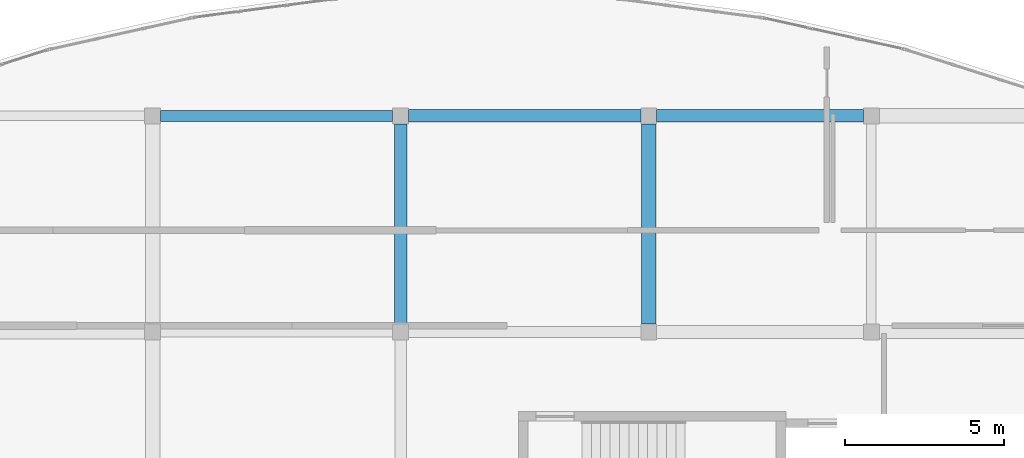
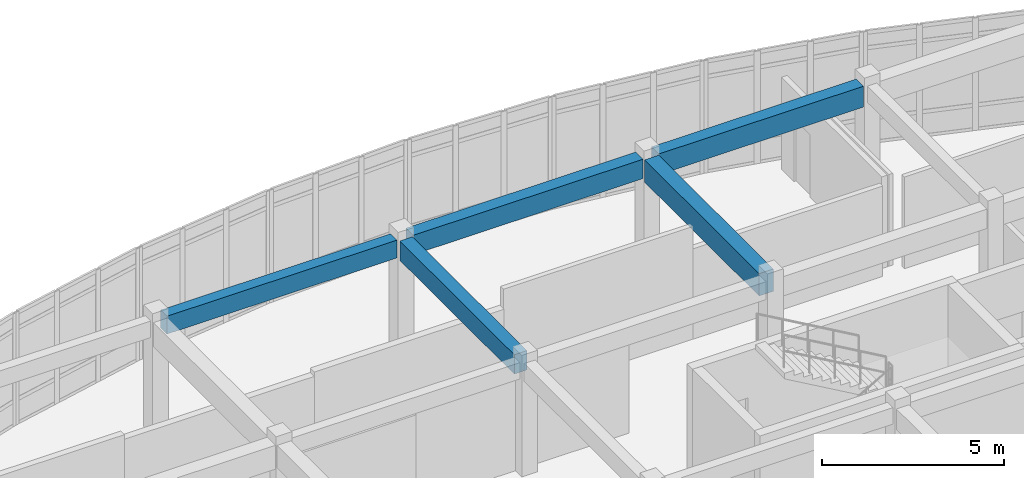
# One storey, part 37 of 91: 5 beams.
"""IFC4 building model written with IfcOpenShell, lengths in metres."""

import ifcopenshell
import ifcopenshell.guid

model = None  # the IFC model being written
_history = None  # IfcOwnerHistory: only IFC2X3 demands one
_inside = {}  # id of a spatial element -> (the spatial element, [elements in it])
_under = {}  # id of a project, library or spatial element -> (it, [spatial elements below it])
_declared = {}  # id of a project -> (the project, [libraries it declares])
_typed = {}  # id of a type object -> (the type object, [elements of that type])
_made_of = {}  # id of a material, layer set ... -> (it, [elements and type objects made of it])


def new_model(schema):
    """Start an empty IFC model of exactly this schema.

    Asked for "IFC4X3", IfcOpenShell would pick the latest addendum, in which some entities
    have other attributes; the version numbers below select the first issue.
    IFC2X3 requires an IfcOwnerHistory on every rooted entity: one is made here for all.
    """
    global model, _history
    if schema == "IFC4X3":
        model = ifcopenshell.file(schema_version=(4, 3, 0, 0))
    else:
        model = ifcopenshell.file(schema=schema)
    _inside.clear()
    _under.clear()
    _declared.clear()
    _typed.clear()
    _made_of.clear()
    _history = None
    if model.schema == "IFC2X3":
        org = make("IfcOrganization", Name="unknown")
        user = make(
            "IfcPersonAndOrganization",
            ThePerson=make("IfcPerson", FamilyName="unknown"),
            TheOrganization=org,
        )
        app = make(
            "IfcApplication",
            ApplicationDeveloper=org,
            Version="unknown",
            ApplicationFullName="unknown",
            ApplicationIdentifier="unknown",
        )
        _history = make(
            "IfcOwnerHistory",
            OwningUser=user,
            OwningApplication=app,
            ChangeAction="ADDED",
            CreationDate=0,
        )
    return model


def make(cls, **values):
    """One entity of the class cls with the attributes given. An attribute that is None is left unset."""
    return model.create_entity(
        cls, **{name: value for name, value in values.items() if value is not None}
    )


def rooted(cls, **values):
    """An entity with a GlobalId (a new one), such as an element, a storey or a relation."""
    return make(cls, GlobalId=ifcopenshell.guid.new(), OwnerHistory=_history, **values)


def si_unit(unit_type, name, prefix=None):
    """IfcSIUnit, for example si_unit("LENGTHUNIT", "METRE", prefix="MILLI")."""
    return make("IfcSIUnit", UnitType=unit_type, Prefix=prefix, Name=name)


def assignment(units):
    """IfcUnitAssignment: the units of a project."""
    return None if units is None else make("IfcUnitAssignment", Units=units)


def point(xyz):
    """IfcCartesianPoint."""
    return None if xyz is None else make("IfcCartesianPoint", Coordinates=xyz)


def direction(xyz):
    """IfcDirection."""
    return None if xyz is None else make("IfcDirection", DirectionRatios=xyz)


def frame(location, z_axis=None, x_axis=None):
    """IfcAxis2Placement3D, a coordinate frame: its origin and axes. An axis left out is left unset."""
    return make(
        "IfcAxis2Placement3D",
        Location=point(location),
        Axis=direction(z_axis),
        RefDirection=direction(x_axis),
    )


def frame_2d(location, x_axis=None):
    """IfcAxis2Placement2D, a coordinate frame in the plane: its origin and x axis."""
    return make(
        "IfcAxis2Placement2D", Location=point(location), RefDirection=direction(x_axis)
    )


def origin():
    """The frame at (0, 0, 0) with its axes left unset."""
    return frame((0.0, 0.0, 0.0))


def origin_2d():
    """The frame at (0, 0) in the plane with its x axis left unset."""
    return frame_2d((0.0, 0.0))


def place(relative_to, where):
    """IfcLocalPlacement: puts the frame where relative to a parent placement (None: the world)."""
    return make(
        "IfcLocalPlacement", PlacementRelTo=relative_to, RelativePlacement=where
    )


def context(
    kind, dimensions, precision=None, world=None, true_north=None, identifier=None
):
    """IfcGeometricRepresentationContext, for example the 3D "Model" context."""
    return make(
        "IfcGeometricRepresentationContext",
        ContextIdentifier=identifier,
        ContextType=kind,
        CoordinateSpaceDimension=dimensions,
        Precision=precision,
        WorldCoordinateSystem=world,
        TrueNorth=true_north,
    )


def subcontext(parent, identifier, kind, view, scale=None):
    """IfcGeometricRepresentationSubContext, for example "Body" below "Model"."""
    return make(
        "IfcGeometricRepresentationSubContext",
        ContextIdentifier=identifier,
        ContextType=kind,
        ParentContext=parent,
        TargetScale=scale,
        TargetView=view,
    )


def project(units=None, contexts=None):
    """IfcProject with its units and contexts."""
    return rooted(
        "IfcProject",
        Name="project",
        RepresentationContexts=contexts,
        UnitsInContext=assignment(units),
    )


def spatial(cls, under=None, at=None, **own):
    """A site, building, storey or space (cls), placed at a placement, below another one or the project."""
    s = rooted(cls, ObjectPlacement=at, **own)
    if under is not None:
        _under.setdefault(under.id(), (under, []))[1].append(s)
    return s


def profile(cls, at=None, kind="AREA", **sizes):
    """A parametric profile (cls). Its sizes go by their IFC names, for example OverallWidth=200.0."""
    return make(cls, ProfileType=kind, Position=at, **sizes)


def rectangle(**sizes):
    """IfcRectangleProfileDef."""
    return profile("IfcRectangleProfileDef", **sizes)


def extrude(swept, where, along, depth):
    """IfcExtrudedAreaSolid: the profile swept, set in the frame where, extruded along a direction by depth."""
    return make(
        "IfcExtrudedAreaSolid",
        SweptArea=swept,
        Position=where,
        ExtrudedDirection=direction(along),
        Depth=depth,
    )


def shape(context_of_items, identifier, shape_type, items):
    """IfcShapeRepresentation: the items that make up one representation, for example the "Body"."""
    return make(
        "IfcShapeRepresentation",
        ContextOfItems=context_of_items,
        RepresentationIdentifier=identifier,
        RepresentationType=shape_type,
        Items=items,
    )


def material(Name=None, Category=None):
    """IfcMaterial."""
    return make("IfcMaterial", Name=Name, Category=Category)


def material_profile(
    of_material, cross_section, Name=None, Category=None, Priority=None
):
    """IfcMaterialProfile: a cross section and its material."""
    return make(
        "IfcMaterialProfile",
        Name=Name,
        Material=of_material,
        Profile=cross_section,
        Priority=Priority,
        Category=Category,
    )


def profile_set(profiles, Name=None, composite=None):
    """IfcMaterialProfileSet."""
    return make(
        "IfcMaterialProfileSet",
        Name=Name,
        MaterialProfiles=profiles,
        CompositeProfile=composite,
    )


def made_of(thing, what):
    """Note that an element or type object is made of a material, layer set ...; save() writes the relation."""
    if what is not None:
        _made_of.setdefault(what.id(), (what, []))[1].append(thing)
    return thing


def type_object(cls, material=None, **own):
    """A type object (cls), such as IfcWallType, which elements share."""
    return made_of(rooted(cls, **own), material)


def element(
    cls,
    number,
    at=None,
    inside=None,
    cuts=None,
    type_object=None,
    material=None,
    context=None,
    identifier="Body",
    shape_type=None,
    held_by="IfcProductDefinitionShape",
    body=None,
    shapes=None,
    **own,
):
    """One element of the class cls, such as IfcWall. Its Tag is "e" and its number.

    at: its placement. inside: the storey or other place that contains it. cuts: it is an
    opening in that element (IfcRelVoidsElement). A single representation is given by context,
    identifier, shape_type and body (its items); several are given by shapes. held_by: the class
    of the entity that holds the representations. save() writes the other relations.
    """
    e = rooted(cls, Tag="e%d" % number, ObjectPlacement=at, **own)
    if body is not None:
        shapes = [shape(context, identifier, shape_type, body)]
    if shapes is not None:
        e.Representation = make(held_by, Representations=shapes)
    if inside is not None:
        _inside.setdefault(inside.id(), (inside, []))[1].append(e)
    if cuts is not None:
        rooted(
            "IfcRelVoidsElement", RelatingBuildingElement=cuts, RelatedOpeningElement=e
        )
    if type_object is not None:
        _typed.setdefault(type_object.id(), (type_object, []))[1].append(e)
    return made_of(e, material)


def aggregate(whole, parts):
    """IfcRelAggregates: a whole, such as a stair, and the parts it consists of."""
    return rooted("IfcRelAggregates", RelatingObject=whole, RelatedObjects=parts)


def save(model, path):
    """Write the relations noted so far, then the file.

    IfcRelAggregates (storeys below a building ...), IfcRelContainedInSpatialStructure (elements
    in a storey), IfcRelDefinesByType, IfcRelAssociatesMaterial and IfcRelDeclares: one each for
    every whole, place, type object, material and project.
    """
    for whole, parts in _under.values():
        aggregate(whole, parts)
    for where, things in _inside.values():
        rooted(
            "IfcRelContainedInSpatialStructure",
            RelatedElements=things,
            RelatingStructure=where,
        )
    for kind, things in _typed.values():
        rooted("IfcRelDefinesByType", RelatedObjects=things, RelatingType=kind)
    for what, things in _made_of.values():
        rooted("IfcRelAssociatesMaterial", RelatedObjects=things, RelatingMaterial=what)
    for by, libraries in _declared.values():
        rooted("IfcRelDeclares", RelatingContext=by, RelatedDefinitions=libraries)
    model.write(path)


model = new_model("IFC4")

# Units and contexts
model_context = context("Model", 3, precision=1e-05, world=origin(), true_north=direction((0.0, 1.0)))
body_context = subcontext(model_context, "Body", "Model", "MODEL_VIEW")
ifc_project = project(units=[si_unit("LENGTHUNIT", "METRE"), si_unit("AREAUNIT", "SQUARE_METRE"), si_unit("VOLUMEUNIT", "CUBIC_METRE"), si_unit("PLANEANGLEUNIT", "RADIAN"), si_unit("MASSUNIT", "GRAM", prefix="KILO")], contexts=[model_context])

# Site, building, storey
site_placement = place(None, origin())
site = spatial("IfcSite", under=ifc_project, at=site_placement, CompositionType="ELEMENT")
building_placement = place(site_placement, origin())
building = spatial("IfcBuilding", under=site, at=building_placement, Name="Valcora Specialist Clinic", CompositionType="ELEMENT")
storey_placement = place(building_placement, frame((0.0, 0.0, 13.60009765625)))
storey = spatial("IfcBuildingStorey", under=building, at=storey_placement, Name="L03", CompositionType="ELEMENT", Elevation=13.60009765625)

# Beams
ifc_material = material(Name="Concrete C40/50", Category="concrete")
ifc_material_profile_1 = material_profile(ifc_material, rectangle(XDim=0.35009765625, YDim=0.60009765625, at=origin_2d()), Name="RC-BM-350X600")
ifc_profile_set_1 = profile_set([ifc_material_profile_1], Name="Concrete C40/50")
beam_type_1 = type_object("IfcBeamType", Name="TY-BM-RC350X600", PredefinedType="BEAM", material=ifc_profile_set_1)
beam_1_placement = place(storey_placement, frame((77.050048828125, 22.0, 3.47998046875), z_axis=(1.0, 0.0, 0.0), x_axis=(0.0, 1.0, 0.0)))
element("IfcBeam", 1, at=beam_1_placement, inside=storey, type_object=beam_type_1, Name="Beam BM-L03-1442", PredefinedType="BEAM", context=body_context, shape_type="SweptSolid", body=[
    extrude(rectangle(XDim=0.35009765625, YDim=0.60009765625, at=origin_2d()), origin(), (0.0, 0.0, 1.0), 7.300048828125),
])
ifc_material_profile_2 = material_profile(ifc_material, rectangle(XDim=0.39990234375, YDim=0.64990234375, at=origin_2d()), Name="RC-BM-400X650")
ifc_profile_set_2 = profile_set([ifc_material_profile_2], Name="Concrete C40/50")
beam_type_2 = type_object("IfcBeamType", Name="TY-BM-RC400X650", PredefinedType="BEAM", material=ifc_profile_set_2)
beam_2_placement = place(storey_placement, frame((84.85009765625, 22.0, 3.454833984375), z_axis=(1.0, 0.0, 0.0), x_axis=(0.0, 1.0, 0.0)))
element("IfcBeam", 2, at=beam_2_placement, inside=storey, type_object=beam_type_2, Name="Beam BM-L03-1443", PredefinedType="BEAM", context=body_context, shape_type="SweptSolid", body=[
    extrude(rectangle(XDim=0.39990234375, YDim=0.64990234375, at=origin_2d()), origin(), (0.0, 0.0, 1.0), 7.2998046875),
])
beam_3_placement = place(storey_placement, frame((84.60009765625, 15.449951171875, 3.454833984375), z_axis=(0.0, 1.0, 0.0), x_axis=(-1.0, 0.0, 0.0)))
element("IfcBeam", 3, at=beam_3_placement, inside=storey, type_object=beam_type_2, Name="Beam BM-L03-1459", PredefinedType="BEAM", context=body_context, shape_type="SweptSolid", body=[
    extrude(rectangle(XDim=0.39990234375, YDim=0.64990234375, at=origin_2d()), origin(), (0.0, 0.0, 1.0), 6.300048828125),
])
ifc_material_profile_3 = material_profile(ifc_material, rectangle(XDim=0.39990234375, YDim=0.699951171875, at=origin_2d()), Name="RC-BM-400X700")
ifc_profile_set_3 = profile_set([ifc_material_profile_3], Name="Concrete C40/50")
beam_type_3 = type_object("IfcBeamType", Name="TY-BM-RC400X700", PredefinedType="BEAM", material=ifc_profile_set_3)
beam_4_placement = place(storey_placement, frame((92.64990234375, 22.0, 3.429931640625), z_axis=(1.0, 0.0, 0.0), x_axis=(0.0, 1.0, 0.0)))
element("IfcBeam", 4, at=beam_4_placement, inside=storey, type_object=beam_type_3, Name="Beam BM-L03-1444", PredefinedType="BEAM", context=body_context, shape_type="SweptSolid", body=[
    extrude(rectangle(XDim=0.39990234375, YDim=0.699951171875, at=origin_2d()), origin(), (0.0, 0.0, 1.0), 6.5),
])
ifc_material_profile_4 = material_profile(ifc_material, rectangle(XDim=0.449951171875, YDim=0.75, at=origin_2d()), Name="RC-BM-450X750")
ifc_profile_set_4 = profile_set([ifc_material_profile_4], Name="Concrete C40/50")
beam_type_4 = type_object("IfcBeamType", Name="TY-BM-RC450X750", PredefinedType="BEAM", material=ifc_profile_set_4)
beam_5_placement = place(storey_placement, frame((92.39990234375, 15.449951171875, 3.40478515625), z_axis=(0.0, 1.0, 0.0), x_axis=(-1.0, 0.0, 0.0)))
element("IfcBeam", 5, at=beam_5_placement, inside=storey, type_object=beam_type_4, Name="Beam BM-L03-1461", PredefinedType="BEAM", context=body_context, shape_type="SweptSolid", body=[
    extrude(rectangle(XDim=0.449951171875, YDim=0.75, at=origin_2d()), origin(), (0.0, 0.0, 1.0), 6.300048828125),
])

save(model, "model.ifc")
